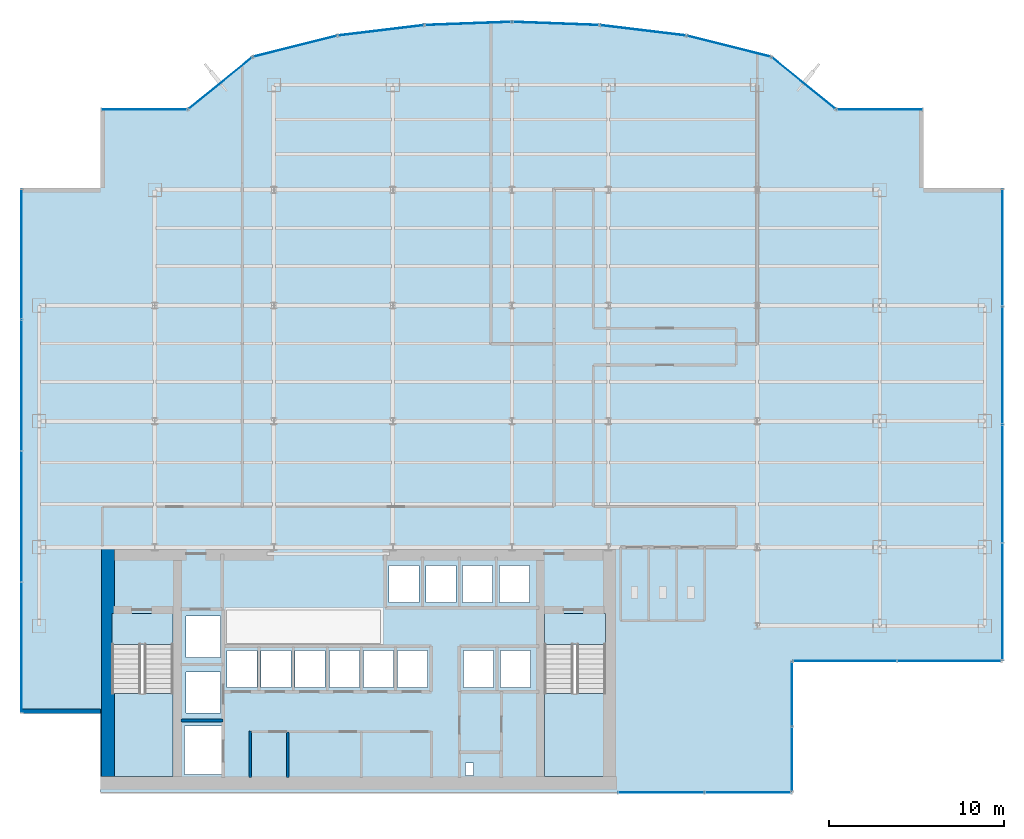
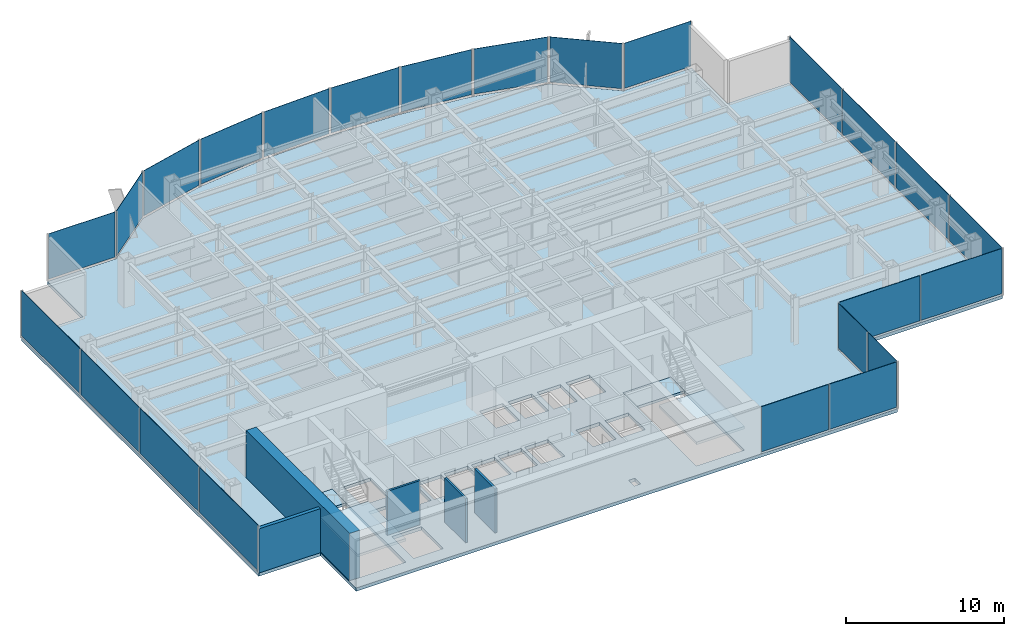
# One storey, part 20 of 26: 24 plates, 5 slabs, 5 walls, 17 elements without a shape of their own.
"""IFC4 building model written with IfcOpenShell, lengths in metres."""

from ifc_helpers import new_model, si_unit, derived_unit, direction, frame, frame_2d, origin, origin_2d, place, context, subcontext, project, spatial, polyline, rectangle, outline, extrude, source, transform, mapped, material, layer, layer_set, type_object, element, aggregate, save


model = new_model("IFC4")

# Units and contexts
model_context = context("Model", 3, precision=1e-05, world=origin(), true_north=direction((0.0, 1.0)))
body_context = subcontext(model_context, "Body", "Model", "MODEL_VIEW")
ifc_project = project(units=[si_unit("LENGTHUNIT", "METRE"), si_unit("AREAUNIT", "SQUARE_METRE"), si_unit("VOLUMEUNIT", "CUBIC_METRE"), si_unit("PLANEANGLEUNIT", "RADIAN"), si_unit("MASSUNIT", "GRAM", prefix="KILO"), derived_unit("THERMALTRANSMITTANCEUNIT", [(si_unit("POWERUNIT", "WATT"), 1), (si_unit("LENGTHUNIT", "METRE"), -2), (si_unit("THERMODYNAMICTEMPERATUREUNIT", "KELVIN"), -1)])], contexts=[model_context])

# Site, building, storey
site_placement = place(None, origin())
site = spatial("IfcSite", under=ifc_project, at=site_placement, CompositionType="ELEMENT")
building_placement = place(site_placement, origin())
building = spatial("IfcBuilding", under=site, at=building_placement, Name="Skarnbrae Concourse Arena and Tower", CompositionType="ELEMENT")
storey_placement = place(building_placement, frame((0.0, 0.0, 99.60009765625)))
storey = spatial("IfcBuildingStorey", under=building, at=storey_placement, Name="L24", CompositionType="ELEMENT", Elevation=99.60009765625)

# Stair, slab
ifc_material_1 = material(Name="Concrete 40 MPa (C40/50)", Category="concrete")
stair_type = type_object("IfcStairType", Name="STAIR-DOGLEG-1650", PredefinedType="HALF_TURN_STAIR", material=ifc_material_1)
stair_1_placement = place(storey_placement, origin())
stair_1 = element("IfcStair", 1, at=stair_1_placement, inside=storey, type_object=stair_type, Name="L24 Protected Exit Stair ST-1", PredefinedType="HALF_TURN_STAIR")
ifc_layer_1 = layer(ifc_material_1, 0.199951171875)
ifc_layer_set_1 = layer_set([ifc_layer_1], Name="Concrete 40 MPa (C40/50)")
slab_type_1 = type_object("IfcSlabType", Name="SLAB-LANDING-200", PredefinedType="LANDING", material=ifc_layer_set_1)
slab_1_placement = place(storey_placement, frame((0.0, 0.0, 1.625)))
slab_1 = element("IfcSlab", 2, at=slab_1_placement, type_object=slab_type_1, Name="ST-1 landing 1", PredefinedType="LANDING", context=body_context, shape_type="SweptSolid", body=[
    extrude(outline(polyline([(5.14990234375, 5.64990234375), (5.14990234375, 0.89990234375), (8.64990234375, 0.89990234375), (8.64990234375, 5.64990234375), (5.14990234375, 5.64990234375)])), origin(), (0.0, 0.0, 1.0), 0.199951171875),
])
aggregate(stair_1, [slab_1])

stair_2_placement = place(storey_placement, origin())
stair_2 = element("IfcStair", 3, at=stair_2_placement, inside=storey, type_object=stair_type, Name="L24 Protected Exit Stair ST-2", PredefinedType="HALF_TURN_STAIR")
slab_2_placement = place(storey_placement, frame((0.0, 0.0, 1.625)))
slab_2 = element("IfcSlab", 4, at=slab_2_placement, type_object=slab_type_1, Name="ST-2 landing 1", PredefinedType="LANDING", context=body_context, shape_type="SweptSolid", body=[
    extrude(outline(polyline([(29.85009765625, 5.64990234375), (29.85009765625, 0.89990234375), (33.35009765625, 0.89990234375), (33.35009765625, 5.64990234375), (29.85009765625, 5.64990234375)])), origin(), (0.0, 0.0, 1.0), 0.199951171875),
])
aggregate(stair_2, [slab_2])

# Slabs
slab_3_placement = place(storey_placement, frame((0.0, 0.0, -0.2001953125)))
element("IfcSlab", 5, at=slab_3_placement, inside=storey, type_object=slab_type_1, Name="L24 Core stair ST1 floor landing", PredefinedType="LANDING", context=body_context, shape_type="SweptSolid", body=[
    extrude(outline(polyline([(5.14990234375, 10.199951171875), (5.14990234375, 8.449951171875), (8.64990234375, 8.449951171875), (8.64990234375, 10.199951171875), (5.14990234375, 10.199951171875)])), origin(), (0.0, 0.0, 1.0), 0.2001953125),
])
slab_4_placement = place(storey_placement, frame((0.0, 0.0, -0.2001953125)))
element("IfcSlab", 6, at=slab_4_placement, inside=storey, type_object=slab_type_1, Name="L24 Core stair ST2 floor landing", PredefinedType="LANDING", context=body_context, shape_type="SweptSolid", body=[
    extrude(outline(polyline([(29.85009765625, 10.199951171875), (29.85009765625, 8.449951171875), (33.35009765625, 8.449951171875), (33.35009765625, 10.199951171875), (29.85009765625, 10.199951171875)])), origin(), (0.0, 0.0, 1.0), 0.2001953125),
])
ifc_layer_2 = layer(ifc_material_1, 0.25)
ifc_layer_set_2 = layer_set([ifc_layer_2], Name="Concrete 40 MPa (C40/50)")
slab_type_2 = type_object("IfcSlabType", Name="SLAB-TOWER-250", PredefinedType="FLOOR", material=ifc_layer_set_2)
slab_5_placement = place(storey_placement, frame((0.0, 0.0, -0.25)))
element("IfcSlab", 7, at=slab_5_placement, inside=storey, type_object=slab_type_2, Name="L24 Structural floor slab", PredefinedType="FLOOR", context=body_context, shape_type="SweptSolid", body=[
    extrude(outline(polyline([(4.5, 0.0), (44.0, 0.0), (44.0, 7.5), (56.0, 7.5), (56.0, 34.5), (51.5, 34.5), (51.5, 39.0), (46.5, 39.0), (42.81103515625, 41.99609375), (37.964111328125, 43.212890625), (32.998779296875, 43.81396484375), (28.0, 44.0), (23.001220703125, 43.81396484375), (18.035888671875, 43.212890625), (13.18896484375, 41.99609375), (9.5, 39.0), (4.5, 39.0), (4.5, 34.5), (0.0, 34.5), (0.0, 4.5), (4.5, 4.5), (4.5, 0.0)]), holes=[polyline([(9.294921875, 3.780029296875), (11.455078125, 3.780029296875), (11.455078125, 1.02001953125), (9.294921875, 1.02001953125), (9.294921875, 3.780029296875)]), polyline([(8.64990234375, 10.199951171875), (8.64990234375, 0.89990234375), (5.14990234375, 0.89990234375), (5.14990234375, 10.199951171875), (8.64990234375, 10.199951171875)]), polyline([(9.39501953125, 6.8798828125), (11.35498046875, 6.8798828125), (11.35498046875, 4.52001953125), (9.39501953125, 4.52001953125), (9.39501953125, 6.8798828125)]), polyline([(11.719970703125, 8.10498046875), (13.429931640625, 8.10498046875), (13.429931640625, 5.9951171875), (11.719970703125, 5.9951171875), (11.719970703125, 8.10498046875)]), polyline([(13.669921875, 8.10498046875), (15.3798828125, 8.10498046875), (15.3798828125, 5.9951171875), (13.669921875, 5.9951171875), (13.669921875, 8.10498046875)]), polyline([(15.6201171875, 8.10498046875), (17.330078125, 8.10498046875), (17.330078125, 5.9951171875), (15.6201171875, 5.9951171875), (15.6201171875, 8.10498046875)]), polyline([(17.570068359375, 8.10498046875), (19.280029296875, 8.10498046875), (19.280029296875, 5.9951171875), (17.570068359375, 5.9951171875), (17.570068359375, 8.10498046875)]), polyline([(21.22998046875, 8.10498046875), (21.22998046875, 5.9951171875), (19.52001953125, 5.9951171875), (19.52001953125, 8.10498046875), (21.22998046875, 8.10498046875)]), polyline([(11.35498046875, 10.054931640625), (11.35498046875, 7.695068359375), (9.39501953125, 7.695068359375), (9.39501953125, 10.054931640625), (11.35498046875, 10.054931640625)]), polyline([(25.35009765625, 1.669921875), (25.800048828125, 1.669921875), (25.800048828125, 0.949951171875), (25.35009765625, 0.949951171875), (25.35009765625, 1.669921875)]), polyline([(33.35009765625, 10.199951171875), (33.35009765625, 0.89990234375), (29.85009765625, 0.89990234375), (29.85009765625, 10.199951171875), (33.35009765625, 10.199951171875)]), polyline([(21.469970703125, 8.10498046875), (23.179931640625, 8.10498046875), (23.179931640625, 5.9951171875), (21.469970703125, 5.9951171875), (21.469970703125, 8.10498046875)]), polyline([(25.235107421875, 8.10498046875), (26.945068359375, 8.10498046875), (26.945068359375, 5.9951171875), (25.235107421875, 5.9951171875), (25.235107421875, 8.10498046875)]), polyline([(27.3349609375, 8.10498046875), (29.044921875, 8.10498046875), (29.044921875, 5.9951171875), (27.3349609375, 5.9951171875), (27.3349609375, 8.10498046875)]), polyline([(20.985107421875, 12.955078125), (22.695068359375, 12.955078125), (22.695068359375, 10.844970703125), (20.985107421875, 10.844970703125), (20.985107421875, 12.955078125)]), polyline([(23.0849609375, 12.955078125), (24.794921875, 12.955078125), (24.794921875, 10.844970703125), (23.0849609375, 10.844970703125), (23.0849609375, 12.955078125)]), polyline([(26.89501953125, 12.955078125), (26.89501953125, 10.844970703125), (25.18505859375, 10.844970703125), (25.18505859375, 12.955078125), (26.89501953125, 12.955078125)]), polyline([(28.9951171875, 12.955078125), (28.9951171875, 10.844970703125), (27.284912109375, 10.844970703125), (27.284912109375, 12.955078125), (28.9951171875, 12.955078125)])]), origin(), (0.0, 0.0, 1.0), 0.25),
])

# Curtain wall, plates
ifc_material_2 = material(Name="Bronze anodised aluminium 6063-T6", Category="aluminium")
curtain_wall_type_1 = type_object("IfcCurtainWallType", Name="CW-SYS-04-MIDZONE", PredefinedType="USERDEFINED", material=ifc_material_2)
curtain_wall_1_placement = place(storey_placement, origin())
curtain_wall_1 = element("IfcCurtainWall", 8, at=curtain_wall_1_placement, inside=storey, type_object=curtain_wall_type_1, Name="L24 Unitised curtain wall CW-L24-SE-SPINE", ObjectType="UNITISED CURTAIN WALL", PredefinedType="USERDEFINED")
ifc_material_3 = material(Name="Low-E triple insulating glass", Category="glass")
ifc_layer_3 = layer(ifc_material_3, 0.031982421875)
ifc_layer_set_3 = layer_set([ifc_layer_3], Name="Low-E triple insulating glass")
plate_type_1 = type_object("IfcPlateType", Name="CWP-CW-04", PredefinedType="CURTAIN_PANEL", material=ifc_layer_set_3)
shared_shape_1 = source(origin(), body_context, "Body", "SweptSolid", [
    extrude(rectangle(XDim=4.887451171875, YDim=0.031982421875, at=origin_2d()), origin(), (0.0, 0.0, 1.0), 3.489990234375),
])
plate_1_placement = place(storey_placement, frame((36.518798828125, 0.0, 0.15966796875), z_axis=(0.0, 0.0, 1.0), x_axis=(1.0, 0.0, 0.0)))
plate_1 = element("IfcPlate", 9, at=plate_1_placement, type_object=plate_type_1, Name="CW-L24-SE-SPINE Low-E Glazing Panel 1", PredefinedType="CURTAIN_PANEL", context=body_context, shape_type="MappedRepresentation", body=[
    mapped(shared_shape_1, transform((0.0, 0.0, 0.0))),
])
plate_2_placement = place(storey_placement, frame((41.481201171875, 0.0, 0.15966796875), z_axis=(0.0, 0.0, 1.0), x_axis=(1.0, 0.0, 0.0)))
plate_2 = element("IfcPlate", 10, at=plate_2_placement, type_object=plate_type_1, Name="CW-L24-SE-SPINE Low-E Glazing Panel 2", PredefinedType="CURTAIN_PANEL", context=body_context, shape_type="MappedRepresentation", body=[
    mapped(shared_shape_1, transform((0.0, 0.0, 0.0))),
])
aggregate(curtain_wall_1, [plate_1, plate_2])

curtain_wall_2_placement = place(storey_placement, origin())
curtain_wall_2 = element("IfcCurtainWall", 11, at=curtain_wall_2_placement, inside=storey, type_object=curtain_wall_type_1, Name="L24 Unitised curtain wall CW-L24-E02", ObjectType="UNITISED CURTAIN WALL", PredefinedType="USERDEFINED")
shared_shape_2 = source(origin(), body_context, "Body", "SweptSolid", [
    extrude(rectangle(XDim=3.637451171875, YDim=0.031982421875, at=origin_2d()), origin(), (0.0, 0.0, 1.0), 3.489990234375),
])
plate_3_placement = place(storey_placement, frame((44.0, 1.893798828125, 0.15966796875), z_axis=(0.0, 0.0, 1.0), x_axis=(0.0, 1.0, 0.0)))
plate_3 = element("IfcPlate", 12, at=plate_3_placement, type_object=plate_type_1, Name="CW-L24-E02 Low-E Glazing Panel 1", PredefinedType="CURTAIN_PANEL", context=body_context, shape_type="MappedRepresentation", body=[
    mapped(shared_shape_2, transform((0.0, 0.0, 0.0))),
])
plate_4_placement = place(storey_placement, frame((44.0, 5.606201171875, 0.15966796875), z_axis=(0.0, 0.0, 1.0), x_axis=(0.0, 1.0, 0.0)))
plate_4 = element("IfcPlate", 13, at=plate_4_placement, type_object=plate_type_1, Name="CW-L24-E02 Low-E Glazing Panel 2", PredefinedType="CURTAIN_PANEL", context=body_context, shape_type="MappedRepresentation", body=[
    mapped(shared_shape_2, transform((0.0, 0.0, 0.0))),
])
aggregate(curtain_wall_2, [plate_3, plate_4])

curtain_wall_3_placement = place(storey_placement, origin())
curtain_wall_3 = element("IfcCurtainWall", 14, at=curtain_wall_3_placement, inside=storey, type_object=curtain_wall_type_1, Name="L24 Unitised curtain wall CW-L24-E03", ObjectType="UNITISED CURTAIN WALL", PredefinedType="USERDEFINED")
shared_shape_3 = source(origin(), body_context, "Body", "SweptSolid", [
    extrude(rectangle(XDim=5.887451171875, YDim=0.031982421875, at=origin_2d()), origin(), (0.0, 0.0, 1.0), 3.489990234375),
])
plate_5_placement = place(storey_placement, frame((47.018798828125, 7.5, 0.15966796875), z_axis=(0.0, 0.0, 1.0), x_axis=(1.0, 0.0, 0.0)))
plate_5 = element("IfcPlate", 15, at=plate_5_placement, type_object=plate_type_1, Name="CW-L24-E03 Low-E Glazing Panel 1", PredefinedType="CURTAIN_PANEL", context=body_context, shape_type="MappedRepresentation", body=[
    mapped(shared_shape_3, transform((0.0, 0.0, 0.0))),
])
plate_6_placement = place(storey_placement, frame((52.981201171875, 7.5, 0.15966796875), z_axis=(0.0, 0.0, 1.0), x_axis=(1.0, 0.0, 0.0)))
plate_6 = element("IfcPlate", 16, at=plate_6_placement, type_object=plate_type_1, Name="CW-L24-E03 Low-E Glazing Panel 2", PredefinedType="CURTAIN_PANEL", context=body_context, shape_type="MappedRepresentation", body=[
    mapped(shared_shape_3, transform((0.0, 0.0, 0.0))),
])
aggregate(curtain_wall_3, [plate_5, plate_6])

# Curtain wall, plate
curtain_wall_4_placement = place(storey_placement, origin())
curtain_wall_4 = element("IfcCurtainWall", 17, at=curtain_wall_4_placement, inside=storey, type_object=curtain_wall_type_1, Name="L24 Unitised curtain wall CW-L24-E07", ObjectType="UNITISED CURTAIN WALL", PredefinedType="USERDEFINED")
shared_shape_4 = source(origin(), body_context, "Body", "SweptSolid", [
    extrude(rectangle(XDim=4.85009765625, YDim=0.031982421875, at=origin_2d()), origin(), (0.0, 0.0, 1.0), 3.489990234375),
])
plate_7_placement = place(storey_placement, frame((49.0, 39.0, 0.15966796875), z_axis=(0.0, 0.0, 1.0), x_axis=(-1.0, 0.0, 0.0)))
plate_7 = element("IfcPlate", 18, at=plate_7_placement, type_object=plate_type_1, Name="CW-L24-E07 Low-E Glazing Panel 1", PredefinedType="CURTAIN_PANEL", context=body_context, shape_type="MappedRepresentation", body=[
    mapped(shared_shape_4, transform((0.0, 0.0, 0.0))),
])
aggregate(curtain_wall_4, [plate_7])

curtain_wall_5_placement = place(storey_placement, origin())
curtain_wall_5 = element("IfcCurtainWall", 19, at=curtain_wall_5_placement, inside=storey, type_object=curtain_wall_type_1, Name="L24 Unitised curtain wall CW-L24-E16", ObjectType="UNITISED CURTAIN WALL", PredefinedType="USERDEFINED")
plate_8_placement = place(storey_placement, frame((7.0, 39.0, 0.15966796875), z_axis=(0.0, 0.0, 1.0), x_axis=(-1.0, 0.0, 0.0)))
plate_8 = element("IfcPlate", 20, at=plate_8_placement, type_object=plate_type_1, Name="CW-L24-E16 Low-E Glazing Panel 1", PredefinedType="CURTAIN_PANEL", context=body_context, shape_type="MappedRepresentation", body=[
    mapped(shared_shape_4, transform((0.0, 0.0, 0.0))),
])
aggregate(curtain_wall_5, [plate_8])

curtain_wall_6_placement = place(storey_placement, origin())
curtain_wall_6 = element("IfcCurtainWall", 21, at=curtain_wall_6_placement, inside=storey, type_object=curtain_wall_type_1, Name="L24 Unitised curtain wall CW-L24-E08", ObjectType="UNITISED CURTAIN WALL", PredefinedType="USERDEFINED")
shared_shape_5 = source(origin(), body_context, "Body", "SweptSolid", [
    extrude(rectangle(XDim=4.602294921875, YDim=0.031982421875, at=origin_2d()), origin(), (0.0, 0.0, 1.0), 3.489990234375),
])
plate_9_placement = place(storey_placement, frame((44.655517578125, 40.498046875, 0.15966796875), z_axis=(0.0, 0.0, 1.0), x_axis=(-0.776241200471, 0.630436038542, 0.0)))
plate_9 = element("IfcPlate", 22, at=plate_9_placement, type_object=plate_type_1, Name="CW-L24-E08 Low-E Glazing Panel 1", PredefinedType="CURTAIN_PANEL", context=body_context, shape_type="MappedRepresentation", body=[
    mapped(shared_shape_5, transform((0.0, 0.0, 0.0))),
])
aggregate(curtain_wall_6, [plate_9])

curtain_wall_7_placement = place(storey_placement, origin())
curtain_wall_7 = element("IfcCurtainWall", 23, at=curtain_wall_7_placement, inside=storey, type_object=curtain_wall_type_1, Name="L24 Unitised curtain wall CW-L24-E15", ObjectType="UNITISED CURTAIN WALL", PredefinedType="USERDEFINED")
plate_10_placement = place(storey_placement, frame((11.344482421875, 40.498046875, 0.15966796875), z_axis=(0.0, 0.0, 1.0), x_axis=(-0.776241200471, -0.630436038542, 0.0)))
plate_10 = element("IfcPlate", 24, at=plate_10_placement, type_object=plate_type_1, Name="CW-L24-E15 Low-E Glazing Panel 1", PredefinedType="CURTAIN_PANEL", context=body_context, shape_type="MappedRepresentation", body=[
    mapped(shared_shape_5, transform((0.0, 0.0, 0.0))),
])
aggregate(curtain_wall_7, [plate_10])

# Curtain wall, plates
curtain_wall_8_placement = place(storey_placement, origin())
curtain_wall_8 = element("IfcCurtainWall", 25, at=curtain_wall_8_placement, inside=storey, type_object=curtain_wall_type_1, Name="L24 Unitised curtain wall CW-L24-E19", ObjectType="UNITISED CURTAIN WALL", PredefinedType="USERDEFINED")
shared_shape_6 = source(origin(), body_context, "Body", "SweptSolid", [
    extrude(rectangle(XDim=7.387451171875, YDim=0.031982421875, at=origin_2d()), origin(), (0.0, 0.0, 1.0), 3.489990234375),
])
plate_11_placement = place(storey_placement, frame((0.0, 30.731201171875, 0.15966796875), z_axis=(0.0, 0.0, 1.0), x_axis=(0.0, -1.0, 0.0)))
plate_11 = element("IfcPlate", 26, at=plate_11_placement, type_object=plate_type_1, Name="CW-L24-E19 Low-E Glazing Panel 1", PredefinedType="CURTAIN_PANEL", context=body_context, shape_type="MappedRepresentation", body=[
    mapped(shared_shape_6, transform((0.0, 0.0, 0.0))),
])
plate_12_placement = place(storey_placement, frame((0.0, 8.268798828125, 0.15966796875), z_axis=(0.0, 0.0, 1.0), x_axis=(0.0, -1.0, 0.0)))
plate_12 = element("IfcPlate", 27, at=plate_12_placement, type_object=plate_type_1, Name="CW-L24-E19 Low-E Glazing Panel 4", PredefinedType="CURTAIN_PANEL", context=body_context, shape_type="MappedRepresentation", body=[
    mapped(shared_shape_6, transform((0.0, 0.0, 0.0))),
])
shared_shape_7 = source(origin(), body_context, "Body", "SweptSolid", [
    extrude(rectangle(XDim=7.425048828125, YDim=0.031982421875, at=origin_2d()), origin(), (0.0, 0.0, 1.0), 3.489990234375),
])
plate_13_placement = place(storey_placement, frame((0.0, 23.25, 0.15966796875), z_axis=(0.0, 0.0, 1.0), x_axis=(0.0, -1.0, 0.0)))
plate_13 = element("IfcPlate", 28, at=plate_13_placement, type_object=plate_type_1, Name="CW-L24-E19 Low-E Glazing Panel 2", PredefinedType="CURTAIN_PANEL", context=body_context, shape_type="MappedRepresentation", body=[
    mapped(shared_shape_7, transform((0.0, 0.0, 0.0))),
])
plate_14_placement = place(storey_placement, frame((0.0, 15.75, 0.15966796875), z_axis=(0.0, 0.0, 1.0), x_axis=(0.0, -1.0, 0.0)))
plate_14 = element("IfcPlate", 29, at=plate_14_placement, type_object=plate_type_1, Name="CW-L24-E19 Low-E Glazing Panel 3", PredefinedType="CURTAIN_PANEL", context=body_context, shape_type="MappedRepresentation", body=[
    mapped(shared_shape_7, transform((0.0, 0.0, 0.0))),
])
aggregate(curtain_wall_8, [plate_11, plate_13, plate_14, plate_12])

curtain_wall_9_placement = place(storey_placement, origin())
curtain_wall_9 = element("IfcCurtainWall", 30, at=curtain_wall_9_placement, inside=storey, type_object=curtain_wall_type_1, Name="L24 Unitised curtain wall CW-L24-E04", ObjectType="UNITISED CURTAIN WALL", PredefinedType="USERDEFINED")
shared_shape_8 = source(origin(), body_context, "Body", "SweptSolid", [
    extrude(rectangle(XDim=6.637451171875, YDim=0.031982421875, at=origin_2d()), origin(), (0.0, 0.0, 1.0), 3.489990234375),
])
plate_15_placement = place(storey_placement, frame((56.0, 10.893798828125, 0.15966796875), z_axis=(0.0, 0.0, 1.0), x_axis=(0.0, 1.0, 0.0)))
plate_15 = element("IfcPlate", 31, at=plate_15_placement, type_object=plate_type_1, Name="CW-L24-E04 Low-E Glazing Panel 1", PredefinedType="CURTAIN_PANEL", context=body_context, shape_type="MappedRepresentation", body=[
    mapped(shared_shape_8, transform((0.0, 0.0, 0.0))),
])
plate_16_placement = place(storey_placement, frame((56.0, 31.106201171875, 0.15966796875), z_axis=(0.0, 0.0, 1.0), x_axis=(0.0, 1.0, 0.0)))
plate_16 = element("IfcPlate", 32, at=plate_16_placement, type_object=plate_type_1, Name="CW-L24-E04 Low-E Glazing Panel 4", PredefinedType="CURTAIN_PANEL", context=body_context, shape_type="MappedRepresentation", body=[
    mapped(shared_shape_8, transform((0.0, 0.0, 0.0))),
])
shared_shape_9 = source(origin(), body_context, "Body", "SweptSolid", [
    extrude(rectangle(XDim=6.675048828125, YDim=0.031982421875, at=origin_2d()), origin(), (0.0, 0.0, 1.0), 3.489990234375),
])
plate_17_placement = place(storey_placement, frame((56.0, 17.625, 0.15966796875), z_axis=(0.0, 0.0, 1.0), x_axis=(0.0, 1.0, 0.0)))
plate_17 = element("IfcPlate", 33, at=plate_17_placement, type_object=plate_type_1, Name="CW-L24-E04 Low-E Glazing Panel 2", PredefinedType="CURTAIN_PANEL", context=body_context, shape_type="MappedRepresentation", body=[
    mapped(shared_shape_9, transform((0.0, 0.0, 0.0))),
])
plate_18_placement = place(storey_placement, frame((56.0, 24.375, 0.15966796875), z_axis=(0.0, 0.0, 1.0), x_axis=(0.0, 1.0, 0.0)))
plate_18 = element("IfcPlate", 34, at=plate_18_placement, type_object=plate_type_1, Name="CW-L24-E04 Low-E Glazing Panel 3", PredefinedType="CURTAIN_PANEL", context=body_context, shape_type="MappedRepresentation", body=[
    mapped(shared_shape_9, transform((0.0, 0.0, 0.0))),
])
aggregate(curtain_wall_9, [plate_15, plate_17, plate_18, plate_16])

# Curtain wall, plate
curtain_wall_type_2 = type_object("IfcCurtainWallType", Name="CW-SYS-03-PORTAL", PredefinedType="USERDEFINED", material=ifc_material_2)
curtain_wall_10_placement = place(storey_placement, origin())
curtain_wall_10 = element("IfcCurtainWall", 35, at=curtain_wall_10_placement, inside=storey, type_object=curtain_wall_type_2, Name="L24 Unitised curtain wall CW-L24-E09", ObjectType="UNITISED CURTAIN WALL", PredefinedType="USERDEFINED")
ifc_layer_4 = layer(ifc_material_3, 0.033935546875)
ifc_layer_set_4 = layer_set([ifc_layer_4], Name="Low-E triple insulating glass")
plate_type_2 = type_object("IfcPlateType", Name="CWP-CW-03", PredefinedType="CURTAIN_PANEL", material=ifc_layer_set_4)
shared_shape_10 = source(origin(), body_context, "Body", "SweptSolid", [
    extrude(rectangle(XDim=4.83740234375, YDim=0.033935546875, at=origin_2d()), origin(), (0.0, 0.0, 1.0), 3.47998046875),
])
plate_19_placement = place(storey_placement, frame((40.3876953125, 42.6044921875, 0.169921875), z_axis=(0.0, 0.0, 1.0), x_axis=(-0.969903046166, 0.243491439351, 0.0)))
plate_19 = element("IfcPlate", 36, at=plate_19_placement, type_object=plate_type_2, Name="CW-L24-E09 Low-E Glazing Panel 1", PredefinedType="CURTAIN_PANEL", context=body_context, shape_type="MappedRepresentation", body=[
    mapped(shared_shape_10, transform((0.0, 0.0, 0.0))),
])
aggregate(curtain_wall_10, [plate_19])

curtain_wall_11_placement = place(storey_placement, origin())
curtain_wall_11 = element("IfcCurtainWall", 37, at=curtain_wall_11_placement, inside=storey, type_object=curtain_wall_type_2, Name="L24 Unitised curtain wall CW-L24-E14", ObjectType="UNITISED CURTAIN WALL", PredefinedType="USERDEFINED")
plate_20_placement = place(storey_placement, frame((15.6123046875, 42.6044921875, 0.169921875), z_axis=(0.0, 0.0, 1.0), x_axis=(-0.969903046166, -0.243491439351, 0.0)))
plate_20 = element("IfcPlate", 38, at=plate_20_placement, type_object=plate_type_2, Name="CW-L24-E14 Low-E Glazing Panel 1", PredefinedType="CURTAIN_PANEL", context=body_context, shape_type="MappedRepresentation", body=[
    mapped(shared_shape_10, transform((0.0, 0.0, 0.0))),
])
aggregate(curtain_wall_11, [plate_20])

curtain_wall_12_placement = place(storey_placement, origin())
curtain_wall_12 = element("IfcCurtainWall", 39, at=curtain_wall_12_placement, inside=storey, type_object=curtain_wall_type_2, Name="L24 Unitised curtain wall CW-L24-E10", ObjectType="UNITISED CURTAIN WALL", PredefinedType="USERDEFINED")
shared_shape_11 = source(origin(), body_context, "Body", "SweptSolid", [
    extrude(rectangle(XDim=4.841552734375, YDim=0.033935546875, at=origin_2d()), origin(), (0.0, 0.0, 1.0), 3.47998046875),
])
plate_21_placement = place(storey_placement, frame((35.4814453125, 43.513427734375, 0.169921875), z_axis=(0.0, 0.0, 1.0), x_axis=(-0.992749371969, 0.120202680731, 0.0)))
plate_21 = element("IfcPlate", 40, at=plate_21_placement, type_object=plate_type_2, Name="CW-L24-E10 Low-E Glazing Panel 1", PredefinedType="CURTAIN_PANEL", context=body_context, shape_type="MappedRepresentation", body=[
    mapped(shared_shape_11, transform((0.0, 0.0, 0.0))),
])
aggregate(curtain_wall_12, [plate_21])

curtain_wall_13_placement = place(storey_placement, origin())
curtain_wall_13 = element("IfcCurtainWall", 41, at=curtain_wall_13_placement, inside=storey, type_object=curtain_wall_type_2, Name="L24 Unitised curtain wall CW-L24-E13", ObjectType="UNITISED CURTAIN WALL", PredefinedType="USERDEFINED")
plate_22_placement = place(storey_placement, frame((20.5185546875, 43.513427734375, 0.169921875), z_axis=(0.0, 0.0, 1.0), x_axis=(-0.992749371969, -0.120202680731, 0.0)))
plate_22 = element("IfcPlate", 42, at=plate_22_placement, type_object=plate_type_2, Name="CW-L24-E13 Low-E Glazing Panel 1", PredefinedType="CURTAIN_PANEL", context=body_context, shape_type="MappedRepresentation", body=[
    mapped(shared_shape_11, transform((0.0, 0.0, 0.0))),
])
aggregate(curtain_wall_13, [plate_22])

curtain_wall_14_placement = place(storey_placement, origin())
curtain_wall_14 = element("IfcCurtainWall", 43, at=curtain_wall_14_placement, inside=storey, type_object=curtain_wall_type_2, Name="L24 Unitised curtain wall CW-L24-E11", ObjectType="UNITISED CURTAIN WALL", PredefinedType="USERDEFINED")
shared_shape_12 = source(origin(), body_context, "Body", "SweptSolid", [
    extrude(rectangle(XDim=4.84228515625, YDim=0.033935546875, at=origin_2d()), origin(), (0.0, 0.0, 1.0), 3.47998046875),
])
plate_23_placement = place(storey_placement, frame((30.49951171875, 43.906982421875, 0.169921875), z_axis=(0.0, 0.0, 1.0), x_axis=(-0.999308486252, 0.037182647889, 0.0)))
plate_23 = element("IfcPlate", 44, at=plate_23_placement, type_object=plate_type_2, Name="CW-L24-E11 Low-E Glazing Panel 1", PredefinedType="CURTAIN_PANEL", context=body_context, shape_type="MappedRepresentation", body=[
    mapped(shared_shape_12, transform((0.0, 0.0, 0.0))),
])
aggregate(curtain_wall_14, [plate_23])

curtain_wall_15_placement = place(storey_placement, origin())
curtain_wall_15 = element("IfcCurtainWall", 45, at=curtain_wall_15_placement, inside=storey, type_object=curtain_wall_type_2, Name="L24 Unitised curtain wall CW-L24-E12", ObjectType="UNITISED CURTAIN WALL", PredefinedType="USERDEFINED")
plate_24_placement = place(storey_placement, frame((25.50048828125, 43.906982421875, 0.169921875), z_axis=(0.0, 0.0, 1.0), x_axis=(-0.999308486252, -0.037182647889, 0.0)))
plate_24 = element("IfcPlate", 46, at=plate_24_placement, type_object=plate_type_2, Name="CW-L24-E12 Low-E Glazing Panel 1", PredefinedType="CURTAIN_PANEL", context=body_context, shape_type="MappedRepresentation", body=[
    mapped(shared_shape_12, transform((0.0, 0.0, 0.0))),
])
aggregate(curtain_wall_15, [plate_24])

# Walls
ifc_material_4 = material(Name="Concrete 60 MPa (C60/75)", Category="concrete")
ifc_layer_5 = layer(ifc_material_4, 0.75)
ifc_layer_set_5 = layer_set([ifc_layer_5], Name="Concrete 60 MPa (C60/75)")
wall_type_1 = type_object("IfcWallType", Name="WALL-CORE-750-C60", PredefinedType="SHEAR", material=ifc_layer_set_5)
shared_shape_13 = source(origin(), body_context, "Body", "SweptSolid", [
    extrude(rectangle(XDim=13.10009765625, YDim=0.75, at=frame_2d((6.550048828125, 0.0))), origin(), (0.0, 0.0, 1.0), 3.64990234375),
])
wall_1_placement = place(storey_placement, frame((4.925048828125, 0.89990234375, 0.0), z_axis=(0.0, 0.0, 1.0), x_axis=(0.0, 1.0, 0.0)))
element("IfcWall", 47, at=wall_1_placement, inside=storey, type_object=wall_type_1, Name="L24 Rear core shear wall CW-W", PredefinedType="SHEAR", context=body_context, shape_type="MappedRepresentation", body=[
    mapped(shared_shape_13, transform((0.0, 0.0, 0.0))),
])
ifc_material_5 = material(Name="Precast concrete 40 MPa (C40/50)", Category="concrete")
ifc_layer_6 = layer(ifc_material_5, 0.25)
ifc_layer_set_6 = layer_set([ifc_layer_6], Name="Precast concrete 40 MPa (C40/50)")
wall_type_2 = type_object("IfcWallType", Name="WALL-EXT-SPANDREL-250", PredefinedType="STANDARD", material=ifc_layer_set_6)
shared_shape_14 = source(origin(), body_context, "Body", "SweptSolid", [
    extrude(rectangle(XDim=4.5, YDim=0.25, at=frame_2d((2.25, 0.0))), origin(), (0.0, 0.0, 1.0), 3.39990234375),
])
wall_2_placement = place(storey_placement, frame((0.0, 4.625, 0.0), z_axis=(0.0, 0.0, 1.0), x_axis=(1.0, 0.0, 0.0)))
element("IfcWall", 48, at=wall_2_placement, inside=storey, type_object=wall_type_2, Name="L24 Notched corner insulated return wall 20", PredefinedType="STANDARD", context=body_context, shape_type="MappedRepresentation", body=[
    mapped(shared_shape_14, transform((0.0, 0.0, 0.0))),
])
ifc_material_6 = material(Name="Gypsum board on cold-formed steel studs", Category="steel")
ifc_layer_7 = layer(ifc_material_6, 0.14990234375)
ifc_layer_set_7 = layer_set([ifc_layer_7], Name="Gypsum board on cold-formed steel studs")
wall_type_3 = type_object("IfcWallType", Name="WALL-PART-150", PredefinedType="PARTITIONING", material=ifc_layer_set_7)
shared_shape_15 = source(origin(), body_context, "Body", "SweptSolid", [
    extrude(rectangle(XDim=2.39990234375, YDim=0.14990234375, at=frame_2d((1.199951171875, 0.0))), origin(), (0.0, 0.0, 1.0), 3.39990234375),
])
wall_3_placement = place(storey_placement, frame((9.10009765625, 4.10009765625, 0.0), z_axis=(0.0, 0.0, 1.0), x_axis=(1.0, 0.0, 0.0)))
element("IfcWall", 49, at=wall_3_placement, inside=storey, type_object=wall_type_3, Name="L24 Interior partition wall W-L24-FL-D1", PredefinedType="PARTITIONING", context=body_context, shape_type="MappedRepresentation", body=[
    mapped(shared_shape_15, transform((0.0, 0.0, 0.0))),
])
shared_shape_16 = source(origin(), body_context, "Body", "SweptSolid", [
    extrude(rectangle(XDim=2.599853515625, YDim=0.14990234375, at=frame_2d((1.2998046875, 0.0))), origin(), (0.0, 0.0, 1.0), 3.39990234375),
])
wall_4_placement = place(storey_placement, frame((15.199951171875, 0.85009765625, 0.0), z_axis=(0.0, 0.0, 1.0), x_axis=(0.0, 1.0, 0.0)))
element("IfcWall", 50, at=wall_4_placement, inside=storey, type_object=wall_type_3, Name="L24 Interior partition wall W-L24-B1M-C1", PredefinedType="PARTITIONING", context=body_context, shape_type="MappedRepresentation", body=[
    mapped(shared_shape_16, transform((0.0, 0.0, 0.0))),
])
ifc_layer_8 = layer(ifc_material_6, 0.14990234375)
ifc_layer_set_8 = layer_set([ifc_layer_8], Name="Gypsum board on cold-formed steel studs")
wall_type_4 = type_object("IfcWallType", Name="WALL-PART-150-1HR", PredefinedType="PARTITIONING", material=ifc_layer_set_8)
shared_shape_17 = source(origin(), body_context, "Body", "SweptSolid", [
    extrude(rectangle(XDim=2.64990234375, YDim=0.14990234375, at=frame_2d((1.324951171875, 0.0))), origin(), (0.0, 0.0, 1.0), 3.39990234375),
])
wall_5_placement = place(storey_placement, frame((13.050048828125, 0.85009765625, 0.0), z_axis=(0.0, 0.0, 1.0), x_axis=(0.0, 1.0, 0.0)))
element("IfcWall", 51, at=wall_5_placement, inside=storey, type_object=wall_type_4, Name="L24 Interior partition wall W-L24-B1M-W", PredefinedType="PARTITIONING", context=body_context, shape_type="MappedRepresentation", body=[
    mapped(shared_shape_17, transform((0.0, 0.0, 0.0))),
])

save(model, "model.ifc")
